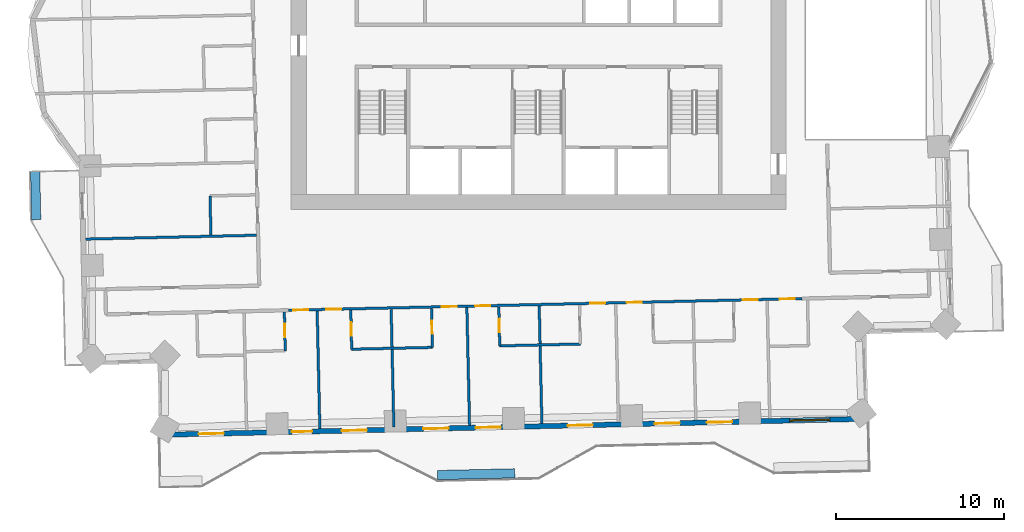
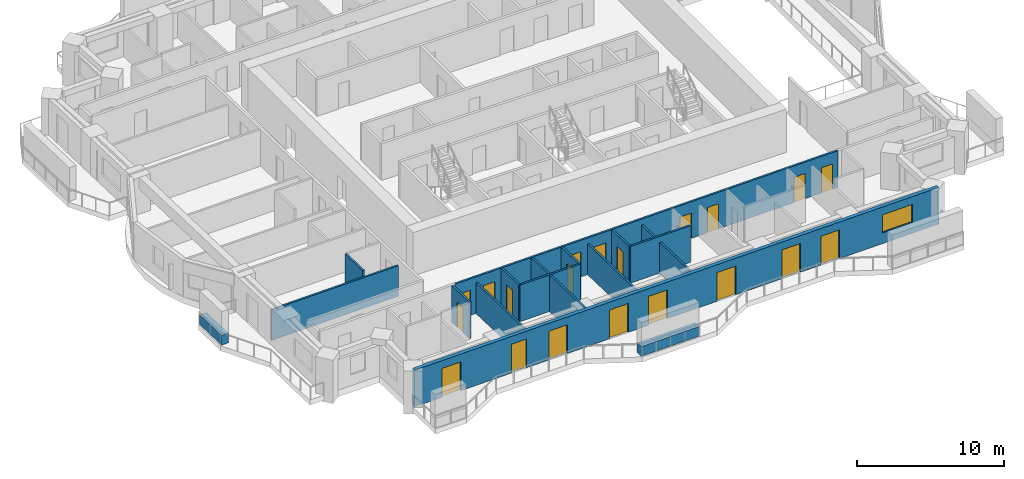
# One storey, part 6 of 16: 20 doors, 16 walls, 1 window, 21 openings.
"""IFC4 building model written with IfcOpenShell, lengths in metres."""

from ifc_helpers import new_model, si_unit, direction, frame, frame_2d, origin, place, context, subcontext, project, spatial, rectangle, extrude, material, layer, layer_set, type_object, element, fill, save


model = new_model("IFC4")

# Units and contexts
model_context = context("Model", 3, precision=1e-05, world=origin(), true_north=direction((0.0, 1.0)))
body_context = subcontext(model_context, "Body", "Model", "MODEL_VIEW")
ifc_project = project(units=[si_unit("LENGTHUNIT", "METRE"), si_unit("AREAUNIT", "SQUARE_METRE"), si_unit("VOLUMEUNIT", "CUBIC_METRE"), si_unit("PLANEANGLEUNIT", "RADIAN"), si_unit("MASSUNIT", "GRAM", prefix="KILO")], contexts=[model_context])

# Site, building, storey
site_placement = place(None, origin())
site = spatial("IfcSite", under=ifc_project, at=site_placement, CompositionType="ELEMENT")
building_placement = place(site_placement, origin())
building = spatial("IfcBuilding", under=site, at=building_placement, Name="Mangrove Gate Tower", CompositionType="ELEMENT")
storey_placement = place(building_placement, frame((0.0, 0.0, 140.89990234375)))
storey = spatial("IfcBuildingStorey", under=building, at=storey_placement, Name="L35", CompositionType="ELEMENT", Elevation=140.89990234375)

# Wall, openings, doors, window
ifc_material_1 = material(Name="Limestone", Category="masonry")
ifc_layer_1 = layer(ifc_material_1, 0.0400390625, Name="Limestone cladding")
ifc_material_2 = material(Name="Ventilated air gap")
ifc_layer_2 = layer(ifc_material_2, 0.0400390625, Name="Ventilated cavity")
ifc_material_3 = material(Name="Mineral wool insulation")
ifc_layer_3 = layer(ifc_material_3, 0.06005859375, Name="Insulation")
ifc_material_4 = material(Name="Breather membrane")
ifc_layer_4 = layer(ifc_material_4, 0.001953125, Name="Breather membrane")
ifc_material_5 = material(Name="Concrete C20/25 blockwork", Category="masonry")
ifc_layer_5 = layer(ifc_material_5, 0.14990234375, Name="Blockwork backing wall")
ifc_material_6 = material(Name="Gypsum plaster")
ifc_layer_6 = layer(ifc_material_6, 0.008056640625, Name="Internal plaster")
ifc_layer_set_1 = layer_set([ifc_layer_1, ifc_layer_2, ifc_layer_3, ifc_layer_4, ifc_layer_5, ifc_layer_6], Name="External wall 300 limestone cladding")
wall_type_1 = type_object("IfcWallType", Name="External wall 300 limestone cladding", PredefinedType="SOLIDWALL", material=ifc_layer_set_1)
wall_1_placement = place(storey_placement, frame((-22.39599609375, -25.077880859375, 0.0), z_axis=(0.0, 0.0, 1.0), x_axis=(0.99974279854, 0.022678993965, 0.0)))
wall_1 = element("IfcWall", 1, at=wall_1_placement, inside=storey, type_object=wall_type_1, Name="WALL-L35-S13", PredefinedType="SOLIDWALL", context=body_context, shape_type="SweptSolid", body=[
    extrude(rectangle(XDim=41.84375, YDim=0.300048828125, at=frame_2d((20.921875, 0.0))), origin(), (0.0, 0.0, 1.0), 3.050048828125),
])
opening_1_placement = place(wall_1_placement, frame((2.196044921875, 0.0, 0.0)))
opening_1 = element("IfcOpeningElement", 2, at=opening_1_placement, cuts=wall_1, Name="Opening BD1", PredefinedType="OPENING", context=body_context, shape_type="SweptSolid", body=[
    extrude(rectangle(XDim=1.5, YDim=2.39990234375, at=frame_2d((0.75, 1.199951171875))), frame((0.0, 0.159912109375, 0.0), z_axis=(0.0, -1.0, 0.0), x_axis=(1.0, 0.0, 0.0)), (0.0, 0.0, 1.0), 0.320068359375),
])
opening_2_placement = place(wall_1_placement, frame((7.737060546875, 0.0, 0.0)))
opening_2 = element("IfcOpeningElement", 3, at=opening_2_placement, cuts=wall_1, Name="Opening BD2", PredefinedType="OPENING", context=body_context, shape_type="SweptSolid", body=[
    extrude(rectangle(XDim=1.199951171875, YDim=2.39990234375, at=frame_2d((0.60009765625, 1.199951171875))), frame((0.0, 0.159912109375, 0.0), z_axis=(0.0, -1.0, 0.0), x_axis=(1.0, 0.0, 0.0)), (0.0, 0.0, 1.0), 0.320068359375),
])
opening_3_placement = place(wall_1_placement, frame((10.698974609375, 0.0, 0.0)))
opening_3 = element("IfcOpeningElement", 4, at=opening_3_placement, cuts=wall_1, Name="Opening BD1", PredefinedType="OPENING", context=body_context, shape_type="SweptSolid", body=[
    extrude(rectangle(XDim=1.5, YDim=2.39990234375, at=frame_2d((0.75, 1.199951171875))), frame((0.0, 0.159912109375, 0.0), z_axis=(0.0, -1.0, 0.0), x_axis=(1.0, 0.0, 0.0)), (0.0, 0.0, 1.0), 0.320068359375),
])
opening_4_placement = place(wall_1_placement, frame((15.549072265625, 0.0, 0.0)))
opening_4 = element("IfcOpeningElement", 5, at=opening_4_placement, cuts=wall_1, Name="Opening BD1", PredefinedType="OPENING", context=body_context, shape_type="SweptSolid", body=[
    extrude(rectangle(XDim=1.5, YDim=2.39990234375, at=frame_2d((0.75, 1.199951171875))), frame((0.0, 0.159912109375, 0.0), z_axis=(0.0, -1.0, 0.0), x_axis=(1.0, 0.0, 0.0)), (0.0, 0.0, 1.0), 0.320068359375),
])
opening_5_placement = place(wall_1_placement, frame((18.660888671875, 0.0, 0.0)))
opening_5 = element("IfcOpeningElement", 6, at=opening_5_placement, cuts=wall_1, Name="Opening BD1", PredefinedType="OPENING", context=body_context, shape_type="SweptSolid", body=[
    extrude(rectangle(XDim=1.5, YDim=2.39990234375, at=frame_2d((0.75, 1.199951171875))), frame((0.0, 0.159912109375, 0.0), z_axis=(0.0, -1.0, 0.0), x_axis=(1.0, 0.0, 0.0)), (0.0, 0.0, 1.0), 0.320068359375),
])
opening_6_placement = place(wall_1_placement, frame((24.125, 0.0, 0.0)))
opening_6 = element("IfcOpeningElement", 7, at=opening_6_placement, cuts=wall_1, Name="Opening BD1", PredefinedType="OPENING", context=body_context, shape_type="SweptSolid", body=[
    extrude(rectangle(XDim=1.5, YDim=2.39990234375, at=frame_2d((0.75, 1.199951171875))), frame((0.0, 0.159912109375, 0.0), z_axis=(0.0, -1.0, 0.0), x_axis=(1.0, 0.0, 0.0)), (0.0, 0.0, 1.0), 0.320068359375),
])
opening_7_placement = place(wall_1_placement, frame((29.298095703125, 0.0, 0.0)))
opening_7 = element("IfcOpeningElement", 8, at=opening_7_placement, cuts=wall_1, Name="Opening BD1", PredefinedType="OPENING", context=body_context, shape_type="SweptSolid", body=[
    extrude(rectangle(XDim=1.5, YDim=2.39990234375, at=frame_2d((0.75, 1.199951171875))), frame((0.0, 0.159912109375, 0.0), z_axis=(0.0, -1.0, 0.0), x_axis=(1.0, 0.0, 0.0)), (0.0, 0.0, 1.0), 0.320068359375),
])
opening_8_placement = place(wall_1_placement, frame((32.409912109375, 0.0, 0.0)))
opening_8 = element("IfcOpeningElement", 9, at=opening_8_placement, cuts=wall_1, Name="Opening BD1", PredefinedType="OPENING", context=body_context, shape_type="SweptSolid", body=[
    extrude(rectangle(XDim=1.5, YDim=2.39990234375, at=frame_2d((0.75, 1.199951171875))), frame((0.0, 0.159912109375, 0.0), z_axis=(0.0, -1.0, 0.0), x_axis=(1.0, 0.0, 0.0)), (0.0, 0.0, 1.0), 0.320068359375),
])
opening_9_placement = place(wall_1_placement, frame((37.323974609375, 0.0, 0.89990234375)))
opening_9 = element("IfcOpeningElement", 10, at=opening_9_placement, cuts=wall_1, Name="Opening W2", PredefinedType="OPENING", context=body_context, shape_type="SweptSolid", body=[
    extrude(rectangle(XDim=2.39990234375, YDim=1.5, at=frame_2d((1.199951171875, 0.75))), frame((0.0, 0.159912109375, 0.0), z_axis=(0.0, -1.0, 0.0), x_axis=(1.0, 0.0, 0.0)), (0.0, 0.0, 1.0), 0.320068359375),
])
ifc_material_7 = material(Name="Aluminium frame with laminated clear glass", Category="aluminium")
door_type_1 = type_object("IfcDoorType", Name="Balcony sliding door 1200x2400", OperationType="SLIDING_TO_LEFT", PredefinedType="DOOR", material=ifc_material_7)
door_1_placement = place(opening_2_placement, origin())
door_1 = element("IfcDoor", 11, at=door_1_placement, inside=storey, type_object=door_type_1, Name="DOOR-L35-S13-2", OperationType="SLIDING_TO_LEFT", OverallHeight=2.39990234375, OverallWidth=1.199951171875, PredefinedType="DOOR", context=body_context, shape_type="SweptSolid", body=[
    extrude(rectangle(XDim=1.199951171875, YDim=2.39990234375, at=frame_2d((0.60009765625, 1.199951171875))), frame((0.0, 0.02490234375, 0.0), z_axis=(0.0, -1.0, 0.0), x_axis=(1.0, 0.0, 0.0)), (0.0, 0.0, 1.0), 0.050048828125),
])
fill(opening_2, door_1)
ifc_material_8 = material(Name="Aluminium frame with laminated clear glass", Category="aluminium")
door_type_2 = type_object("IfcDoorType", Name="Balcony sliding door 1500x2400", OperationType="SLIDING_TO_LEFT", PredefinedType="DOOR", material=ifc_material_8)
door_2_placement = place(opening_1_placement, origin())
door_2 = element("IfcDoor", 12, at=door_2_placement, inside=storey, type_object=door_type_2, Name="DOOR-L35-S13-1", OperationType="SLIDING_TO_LEFT", OverallHeight=2.39990234375, OverallWidth=1.5, PredefinedType="DOOR", context=body_context, shape_type="SweptSolid", body=[
    extrude(rectangle(XDim=1.5, YDim=2.39990234375, at=frame_2d((0.75, 1.199951171875))), frame((0.0, 0.02490234375, 0.0), z_axis=(0.0, -1.0, 0.0), x_axis=(1.0, 0.0, 0.0)), (0.0, 0.0, 1.0), 0.050048828125),
])
fill(opening_1, door_2)
door_3_placement = place(opening_3_placement, origin())
door_3 = element("IfcDoor", 13, at=door_3_placement, inside=storey, type_object=door_type_2, Name="DOOR-L35-S13-3", OperationType="SLIDING_TO_LEFT", OverallHeight=2.39990234375, OverallWidth=1.5, PredefinedType="DOOR", context=body_context, shape_type="SweptSolid", body=[
    extrude(rectangle(XDim=1.5, YDim=2.39990234375, at=frame_2d((0.75, 1.199951171875))), frame((0.0, 0.02490234375, 0.0), z_axis=(0.0, -1.0, 0.0), x_axis=(1.0, 0.0, 0.0)), (0.0, 0.0, 1.0), 0.050048828125),
])
fill(opening_3, door_3)
door_4_placement = place(opening_4_placement, origin())
door_4 = element("IfcDoor", 14, at=door_4_placement, inside=storey, type_object=door_type_2, Name="DOOR-L35-S13-4", OperationType="SLIDING_TO_LEFT", OverallHeight=2.39990234375, OverallWidth=1.5, PredefinedType="DOOR", context=body_context, shape_type="SweptSolid", body=[
    extrude(rectangle(XDim=1.5, YDim=2.39990234375, at=frame_2d((0.75, 1.199951171875))), frame((0.0, 0.02490234375, 0.0), z_axis=(0.0, -1.0, 0.0), x_axis=(1.0, 0.0, 0.0)), (0.0, 0.0, 1.0), 0.050048828125),
])
fill(opening_4, door_4)
door_5_placement = place(opening_5_placement, origin())
door_5 = element("IfcDoor", 15, at=door_5_placement, inside=storey, type_object=door_type_2, Name="DOOR-L35-S13-5", OperationType="SLIDING_TO_LEFT", OverallHeight=2.39990234375, OverallWidth=1.5, PredefinedType="DOOR", context=body_context, shape_type="SweptSolid", body=[
    extrude(rectangle(XDim=1.5, YDim=2.39990234375, at=frame_2d((0.75, 1.199951171875))), frame((0.0, 0.02490234375, 0.0), z_axis=(0.0, -1.0, 0.0), x_axis=(1.0, 0.0, 0.0)), (0.0, 0.0, 1.0), 0.050048828125),
])
fill(opening_5, door_5)
door_6_placement = place(opening_6_placement, origin())
door_6 = element("IfcDoor", 16, at=door_6_placement, inside=storey, type_object=door_type_2, Name="DOOR-L35-S13-6", OperationType="SLIDING_TO_LEFT", OverallHeight=2.39990234375, OverallWidth=1.5, PredefinedType="DOOR", context=body_context, shape_type="SweptSolid", body=[
    extrude(rectangle(XDim=1.5, YDim=2.39990234375, at=frame_2d((0.75, 1.199951171875))), frame((0.0, 0.02490234375, 0.0), z_axis=(0.0, -1.0, 0.0), x_axis=(1.0, 0.0, 0.0)), (0.0, 0.0, 1.0), 0.050048828125),
])
fill(opening_6, door_6)
door_7_placement = place(opening_7_placement, origin())
door_7 = element("IfcDoor", 17, at=door_7_placement, inside=storey, type_object=door_type_2, Name="DOOR-L35-S13-7", OperationType="SLIDING_TO_LEFT", OverallHeight=2.39990234375, OverallWidth=1.5, PredefinedType="DOOR", context=body_context, shape_type="SweptSolid", body=[
    extrude(rectangle(XDim=1.5, YDim=2.39990234375, at=frame_2d((0.75, 1.199951171875))), frame((0.0, 0.02490234375, 0.0), z_axis=(0.0, -1.0, 0.0), x_axis=(1.0, 0.0, 0.0)), (0.0, 0.0, 1.0), 0.050048828125),
])
fill(opening_7, door_7)
door_8_placement = place(opening_8_placement, origin())
door_8 = element("IfcDoor", 18, at=door_8_placement, inside=storey, type_object=door_type_2, Name="DOOR-L35-S13-8", OperationType="SLIDING_TO_LEFT", OverallHeight=2.39990234375, OverallWidth=1.5, PredefinedType="DOOR", context=body_context, shape_type="SweptSolid", body=[
    extrude(rectangle(XDim=1.5, YDim=2.39990234375, at=frame_2d((0.75, 1.199951171875))), frame((0.0, 0.02490234375, 0.0), z_axis=(0.0, -1.0, 0.0), x_axis=(1.0, 0.0, 0.0)), (0.0, 0.0, 1.0), 0.050048828125),
])
fill(opening_8, door_8)
ifc_material_9 = material(Name="Aluminium frame with double-glazed low-e glass", Category="aluminium")
window_type = type_object("IfcWindowType", Name="Corner room window 2400x1500", PartitioningType="DOUBLE_PANEL_VERTICAL", PredefinedType="WINDOW", material=ifc_material_9)
window_placement = place(opening_9_placement, origin())
window = element("IfcWindow", 19, at=window_placement, inside=storey, type_object=window_type, Name="WIN-L35-S13-9", OverallHeight=1.5, OverallWidth=2.39990234375, PartitioningType="DOUBLE_PANEL_VERTICAL", PredefinedType="WINDOW", context=body_context, shape_type="SweptSolid", body=[
    extrude(rectangle(XDim=2.39990234375, YDim=1.5, at=frame_2d((1.199951171875, 0.75))), frame((0.0, 0.030029296875, 0.0), z_axis=(0.0, -1.0, 0.0), x_axis=(1.0, 0.0, 0.0)), (0.0, 0.0, 1.0), 0.06005859375),
])
fill(opening_9, window)

# Walls
ifc_material_10 = material(Name="Gypsum board on steel stud, EI 60", Category="steel")
ifc_layer_7 = layer(ifc_material_10, 0.14990234375)
ifc_layer_set_2 = layer_set([ifc_layer_7], Name="Party wall 150 EI 60")
wall_type_2 = type_object("IfcWallType", Name="Party wall 150 EI 60", PredefinedType="PARTITIONING", material=ifc_layer_set_2)
wall_2_placement = place(storey_placement, frame((-13.0, -24.715087890625, 0.0), z_axis=(0.0, 0.0, 1.0), x_axis=(-0.02255982614, 0.999745494736, 0.0)))
element("IfcWall", 20, at=wall_2_placement, inside=storey, type_object=wall_type_2, Name="WALL-L35-002", PredefinedType="PARTITIONING", context=body_context, shape_type="SweptSolid", body=[
    extrude(rectangle(XDim=7.001708984375, YDim=0.14990234375, at=frame_2d((3.5009765625, 0.0))), origin(), (0.0, 0.0, 1.0), 2.550048828125),
])
wall_3_placement = place(storey_placement, frame((-8.60107421875, -24.614990234375, 0.0), z_axis=(0.0, 0.0, 1.0), x_axis=(-0.022702393474, 0.999742267452, 0.0)))
element("IfcWall", 21, at=wall_3_placement, inside=storey, type_object=wall_type_2, Name="WALL-L35-003", PredefinedType="PARTITIONING", context=body_context, shape_type="SweptSolid", body=[
    extrude(rectangle(XDim=7.000732421875, YDim=0.14990234375, at=frame_2d((3.50048828125, 0.0))), origin(), (0.0, 0.0, 1.0), 3.050048828125),
])
wall_4_placement = place(storey_placement, frame((-4.10205078125, -24.512939453125, 0.0), z_axis=(0.0, 0.0, 1.0), x_axis=(-0.022699227919, 0.999742339331, 0.0)))
element("IfcWall", 22, at=wall_4_placement, inside=storey, type_object=wall_type_2, Name="WALL-L35-004", PredefinedType="PARTITIONING", context=body_context, shape_type="SweptSolid", body=[
    extrude(rectangle(XDim=7.001708984375, YDim=0.14990234375, at=frame_2d((3.5009765625, 0.0))), origin(), (0.0, 0.0, 1.0), 2.550048828125),
])
wall_5_placement = place(storey_placement, frame((0.197021484375, -24.4150390625, 0.0), z_axis=(0.0, 0.0, 1.0), x_axis=(-0.022702393474, 0.999742267452, 0.0)))
element("IfcWall", 23, at=wall_5_placement, inside=storey, type_object=wall_type_2, Name="WALL-L35-005", PredefinedType="PARTITIONING", context=body_context, shape_type="SweptSolid", body=[
    extrude(rectangle(XDim=7.000732421875, YDim=0.14990234375, at=frame_2d((3.50048828125, 0.0))), origin(), (0.0, 0.0, 1.0), 2.550048828125),
])

# Wall, opening, door
wall_6_placement = place(storey_placement, frame((-15.054931640625, -20.083984375, 0.0), z_axis=(0.0, 0.0, 1.0), x_axis=(-0.022612884682, 0.999744296031, 0.0)))
wall_6 = element("IfcWall", 24, at=wall_6_placement, inside=storey, type_object=wall_type_2, Name="WALL-L35-013", PredefinedType="PARTITIONING", context=body_context, shape_type="SweptSolid", body=[
    extrude(rectangle(XDim=2.299560546875, YDim=0.14990234375, at=frame_2d((1.14990234375, 0.0))), origin(), (0.0, 0.0, 1.0), 3.050048828125),
])
opening_10_placement = place(wall_6_placement, frame((0.800048828125, 0.0, 0.0)))
opening_10 = element("IfcOpeningElement", 25, at=opening_10_placement, cuts=wall_6, Name="Opening ED", PredefinedType="OPENING", context=body_context, shape_type="SweptSolid", body=[
    extrude(rectangle(XDim=0.800048828125, YDim=2.10009765625, at=frame_2d((0.39990234375, 1.050048828125))), frame((0.0, 0.0849609375, 0.0), z_axis=(0.0, -1.0, 0.0), x_axis=(1.0, 0.0, 0.0)), (0.0, 0.0, 1.0), 0.169921875),
])
ifc_material_11 = material(Name="Timber door leaf", Category="wood")
door_type_3 = type_object("IfcDoorType", Name="En-suite door 800", OperationType="SINGLE_SWING_LEFT", PredefinedType="DOOR", material=ifc_material_11)
door_9_placement = place(opening_10_placement, origin())
door_9 = element("IfcDoor", 26, at=door_9_placement, inside=storey, type_object=door_type_3, Name="DOOR-L35-ENS-c101", OperationType="SINGLE_SWING_LEFT", OverallHeight=2.10009765625, OverallWidth=0.800048828125, PredefinedType="DOOR", context=body_context, shape_type="SweptSolid", body=[
    extrude(rectangle(XDim=0.800048828125, YDim=2.10009765625, at=frame_2d((0.39990234375, 1.050048828125))), frame((0.0, 0.02490234375, 0.0), z_axis=(0.0, -1.0, 0.0), x_axis=(1.0, 0.0, 0.0)), (0.0, 0.0, 1.0), 0.050048828125),
])
fill(opening_10, door_9)

wall_7_placement = place(storey_placement, frame((-11.10595703125, -19.993896484375, 0.0), z_axis=(0.0, 0.0, 1.0), x_axis=(-0.02279059109, 0.999740260747, 0.0)))
wall_7 = element("IfcWall", 27, at=wall_7_placement, inside=storey, type_object=wall_type_2, Name="WALL-L35-014", PredefinedType="PARTITIONING", context=body_context, shape_type="SweptSolid", body=[
    extrude(rectangle(XDim=2.324462890625, YDim=0.14990234375, at=frame_2d((1.162109375, 0.0))), origin(), (0.0, 0.0, 1.0), 3.050048828125),
])
opening_11_placement = place(wall_7_placement, frame((0.800048828125, 0.0, 0.0)))
opening_11 = element("IfcOpeningElement", 28, at=opening_11_placement, cuts=wall_7, Name="Opening ED", PredefinedType="OPENING", context=body_context, shape_type="SweptSolid", body=[
    extrude(rectangle(XDim=0.800048828125, YDim=2.10009765625, at=frame_2d((0.39990234375, 1.050048828125))), frame((0.0, 0.0849609375, 0.0), z_axis=(0.0, -1.0, 0.0), x_axis=(1.0, 0.0, 0.0)), (0.0, 0.0, 1.0), 0.169921875),
])
door_10_placement = place(opening_11_placement, origin())
door_10 = element("IfcDoor", 29, at=door_10_placement, inside=storey, type_object=door_type_3, Name="DOOR-L35-ENS-c102", OperationType="SINGLE_SWING_RIGHT", OverallHeight=2.10009765625, OverallWidth=0.800048828125, PredefinedType="DOOR", context=body_context, shape_type="SweptSolid", body=[
    extrude(rectangle(XDim=0.800048828125, YDim=2.10009765625, at=frame_2d((0.39990234375, 1.050048828125))), frame((0.0, 0.02490234375, 0.0), z_axis=(0.0, -1.0, 0.0), x_axis=(1.0, 0.0, 0.0)), (0.0, 0.0, 1.0), 0.050048828125),
])
fill(opening_11, door_10)

wall_8_placement = place(storey_placement, frame((-6.306884765625, -19.885009765625, 0.0), z_axis=(0.0, 0.0, 1.0), x_axis=(-0.022895561926, 0.999737862264, 0.0)))
wall_8 = element("IfcWall", 30, at=wall_8_placement, inside=storey, type_object=wall_type_2, Name="WALL-L35-015", PredefinedType="PARTITIONING", context=body_context, shape_type="SweptSolid", body=[
    extrude(rectangle(XDim=2.324462890625, YDim=0.14990234375, at=frame_2d((1.162109375, 0.0))), origin(), (0.0, 0.0, 1.0), 3.050048828125),
])
opening_12_placement = place(wall_8_placement, frame((0.800048828125, 0.0, 0.0)))
opening_12 = element("IfcOpeningElement", 31, at=opening_12_placement, cuts=wall_8, Name="Opening ED", PredefinedType="OPENING", context=body_context, shape_type="SweptSolid", body=[
    extrude(rectangle(XDim=0.800048828125, YDim=2.10009765625, at=frame_2d((0.39990234375, 1.050048828125))), frame((0.0, 0.0849609375, 0.0), z_axis=(0.0, -1.0, 0.0), x_axis=(1.0, 0.0, 0.0)), (0.0, 0.0, 1.0), 0.169921875),
])
door_11_placement = place(opening_12_placement, origin())
door_11 = element("IfcDoor", 32, at=door_11_placement, inside=storey, type_object=door_type_3, Name="DOOR-L35-ENS-c103", OperationType="SINGLE_SWING_LEFT", OverallHeight=2.10009765625, OverallWidth=0.800048828125, PredefinedType="DOOR", context=body_context, shape_type="SweptSolid", body=[
    extrude(rectangle(XDim=0.800048828125, YDim=2.10009765625, at=frame_2d((0.39990234375, 1.050048828125))), frame((0.0, 0.02490234375, 0.0), z_axis=(0.0, -1.0, 0.0), x_axis=(1.0, 0.0, 0.0)), (0.0, 0.0, 1.0), 0.050048828125),
])
fill(opening_12, door_11)

wall_9_placement = place(storey_placement, frame((-2.30908203125, -19.794921875, 0.0), z_axis=(0.0, 0.0, 1.0), x_axis=(-0.022361308448, 0.999749954681, 0.0)))
wall_9 = element("IfcWall", 33, at=wall_9_placement, inside=storey, type_object=wall_type_2, Name="WALL-L35-016", PredefinedType="PARTITIONING", context=body_context, shape_type="SweptSolid", body=[
    extrude(rectangle(XDim=2.325439453125, YDim=0.14990234375, at=frame_2d((1.16259765625, 0.0))), origin(), (0.0, 0.0, 1.0), 3.050048828125),
])
opening_13_placement = place(wall_9_placement, frame((0.800048828125, 0.0, 0.0)))
opening_13 = element("IfcOpeningElement", 34, at=opening_13_placement, cuts=wall_9, Name="Opening ED", PredefinedType="OPENING", context=body_context, shape_type="SweptSolid", body=[
    extrude(rectangle(XDim=0.800048828125, YDim=2.10009765625, at=frame_2d((0.39990234375, 1.050048828125))), frame((0.0, 0.0849609375, 0.0), z_axis=(0.0, -1.0, 0.0), x_axis=(1.0, 0.0, 0.0)), (0.0, 0.0, 1.0), 0.169921875),
])
door_12_placement = place(opening_13_placement, origin())
door_12 = element("IfcDoor", 35, at=door_12_placement, inside=storey, type_object=door_type_3, Name="DOOR-L35-ENS-c204", OperationType="SINGLE_SWING_RIGHT", OverallHeight=2.10009765625, OverallWidth=0.800048828125, PredefinedType="DOOR", context=body_context, shape_type="SweptSolid", body=[
    extrude(rectangle(XDim=0.800048828125, YDim=2.10009765625, at=frame_2d((0.39990234375, 1.050048828125))), frame((0.0, 0.02490234375, 0.0), z_axis=(0.0, -1.0, 0.0), x_axis=(1.0, 0.0, 0.0)), (0.0, 0.0, 1.0), 0.050048828125),
])
fill(opening_13, door_12)

# Walls
wall_10_placement = place(storey_placement, frame((-11.10791015625, -19.989990234375, 0.0), z_axis=(0.0, 0.0, 1.0), x_axis=(0.99974716552, 0.022485662892, 0.0)))
element("IfcWall", 36, at=wall_10_placement, inside=storey, type_object=wall_type_2, Name="WALL-L35-021", PredefinedType="PARTITIONING", context=body_context, shape_type="SweptSolid", body=[
    extrude(rectangle(XDim=4.799072265625, YDim=0.14990234375, at=frame_2d((2.3994140625, 0.0))), origin(), (0.0, 0.0, 1.0), 3.050048828125),
])
wall_11_placement = place(storey_placement, frame((-2.31103515625, -19.791015625, 0.0), z_axis=(0.0, 0.0, 1.0), x_axis=(0.99974154664, 0.022734113616, 0.0)))
element("IfcWall", 37, at=wall_11_placement, inside=storey, type_object=wall_type_2, Name="WALL-L35-022", PredefinedType="PARTITIONING", context=body_context, shape_type="SweptSolid", body=[
    extrude(rectangle(XDim=4.80029296875, YDim=0.14990234375, at=frame_2d((2.400146484375, 0.0))), origin(), (0.0, 0.0, 1.0), 3.050048828125),
])

# Wall, openings, doors
wall_12_placement = place(storey_placement, frame((-14.87109375, -17.675048828125, 0.0), z_axis=(0.0, 0.0, 1.0), x_axis=(0.999742359486, 0.02269834024, 0.0)))
wall_12 = element("IfcWall", 38, at=wall_12_placement, inside=storey, type_object=wall_type_2, Name="WALL-L35-027", PredefinedType="PARTITIONING", context=body_context, shape_type="SweptSolid", body=[
    extrude(rectangle(XDim=30.535888671875, YDim=0.14990234375, at=frame_2d((15.26806640625, 0.0))), origin(), (0.0, 0.0, 1.0), 3.050048828125),
])
opening_14_placement = place(wall_12_placement, frame((0.283935546875, 0.0, 0.0)))
opening_14 = element("IfcOpeningElement", 39, at=opening_14_placement, cuts=wall_12, Name="Opening BD", PredefinedType="OPENING", context=body_context, shape_type="SweptSolid", body=[
    extrude(rectangle(XDim=0.89990234375, YDim=2.10009765625, at=frame_2d((0.449951171875, 1.050048828125))), frame((0.0, 0.0849609375, 0.0), z_axis=(0.0, -1.0, 0.0), x_axis=(1.0, 0.0, 0.0)), (0.0, 0.0, 1.0), 0.169921875),
])
opening_15_placement = place(wall_12_placement, frame((2.259033203125, 0.0, 0.0)))
opening_15 = element("IfcOpeningElement", 40, at=opening_15_placement, cuts=wall_12, Name="Opening BD", PredefinedType="OPENING", context=body_context, shape_type="SweptSolid", body=[
    extrude(rectangle(XDim=0.89990234375, YDim=2.10009765625, at=frame_2d((0.449951171875, 1.050048828125))), frame((0.0, 0.0849609375, 0.0), z_axis=(0.0, -1.0, 0.0), x_axis=(1.0, 0.0, 0.0)), (0.0, 0.0, 1.0), 0.169921875),
])
opening_16_placement = place(wall_12_placement, frame((9.10888671875, 0.0, 0.0)))
opening_16 = element("IfcOpeningElement", 41, at=opening_16_placement, cuts=wall_12, Name="Opening BD", PredefinedType="OPENING", context=body_context, shape_type="SweptSolid", body=[
    extrude(rectangle(XDim=0.89990234375, YDim=2.10009765625, at=frame_2d((0.449951171875, 1.050048828125))), frame((0.0, 0.0849609375, 0.0), z_axis=(0.0, -1.0, 0.0), x_axis=(1.0, 0.0, 0.0)), (0.0, 0.0, 1.0), 0.169921875),
])
opening_17_placement = place(wall_12_placement, frame((11.10888671875, 0.0, 0.0)))
opening_17 = element("IfcOpeningElement", 42, at=opening_17_placement, cuts=wall_12, Name="Opening BD", PredefinedType="OPENING", context=body_context, shape_type="SweptSolid", body=[
    extrude(rectangle(XDim=0.89990234375, YDim=2.10009765625, at=frame_2d((0.449951171875, 1.050048828125))), frame((0.0, 0.0849609375, 0.0), z_axis=(0.0, -1.0, 0.0), x_axis=(1.0, 0.0, 0.0)), (0.0, 0.0, 1.0), 0.169921875),
])
opening_18_placement = place(wall_12_placement, frame((17.93408203125, 0.0, 0.0)))
opening_18 = element("IfcOpeningElement", 43, at=opening_18_placement, cuts=wall_12, Name="Opening BD", PredefinedType="OPENING", context=body_context, shape_type="SweptSolid", body=[
    extrude(rectangle(XDim=0.89990234375, YDim=2.10009765625, at=frame_2d((0.449951171875, 1.050048828125))), frame((0.0, 0.0849609375, 0.0), z_axis=(0.0, -1.0, 0.0), x_axis=(1.0, 0.0, 0.0)), (0.0, 0.0, 1.0), 0.169921875),
])
opening_19_placement = place(wall_12_placement, frame((20.10888671875, 0.0, 0.0)))
opening_19 = element("IfcOpeningElement", 44, at=opening_19_placement, cuts=wall_12, Name="Opening BD", PredefinedType="OPENING", context=body_context, shape_type="SweptSolid", body=[
    extrude(rectangle(XDim=0.89990234375, YDim=2.10009765625, at=frame_2d((0.449951171875, 1.050048828125))), frame((0.0, 0.0849609375, 0.0), z_axis=(0.0, -1.0, 0.0), x_axis=(1.0, 0.0, 0.0)), (0.0, 0.0, 1.0), 0.169921875),
])
opening_20_placement = place(wall_12_placement, frame((27.009033203125, 0.0, 0.0)))
opening_20 = element("IfcOpeningElement", 45, at=opening_20_placement, cuts=wall_12, Name="Opening BD", PredefinedType="OPENING", context=body_context, shape_type="SweptSolid", body=[
    extrude(rectangle(XDim=0.89990234375, YDim=2.10009765625, at=frame_2d((0.449951171875, 1.050048828125))), frame((0.0, 0.0849609375, 0.0), z_axis=(0.0, -1.0, 0.0), x_axis=(1.0, 0.0, 0.0)), (0.0, 0.0, 1.0), 0.169921875),
])
opening_21_placement = place(wall_12_placement, frame((29.208984375, 0.0, 0.0)))
opening_21 = element("IfcOpeningElement", 46, at=opening_21_placement, cuts=wall_12, Name="Opening SD", PredefinedType="OPENING", context=body_context, shape_type="SweptSolid", body=[
    extrude(rectangle(XDim=0.89990234375, YDim=2.10009765625, at=frame_2d((0.449951171875, 1.050048828125))), frame((0.0, 0.0849609375, 0.0), z_axis=(0.0, -1.0, 0.0), x_axis=(1.0, 0.0, 0.0)), (0.0, 0.0, 1.0), 0.169921875),
])
ifc_material_12 = material(Name="Timber door leaf", Category="wood")
door_type_4 = type_object("IfcDoorType", Name="Bedroom door 900", OperationType="SINGLE_SWING_LEFT", PredefinedType="DOOR", material=ifc_material_12)
door_13_placement = place(opening_14_placement, origin())
door_13 = element("IfcDoor", 47, at=door_13_placement, inside=storey, type_object=door_type_4, Name="DOOR-L35-BED-c101", OperationType="SINGLE_SWING_LEFT", OverallHeight=2.10009765625, OverallWidth=0.89990234375, PredefinedType="DOOR", context=body_context, shape_type="SweptSolid", body=[
    extrude(rectangle(XDim=0.89990234375, YDim=2.10009765625, at=frame_2d((0.449951171875, 1.050048828125))), frame((0.0, 0.02490234375, 0.0), z_axis=(0.0, -1.0, 0.0), x_axis=(1.0, 0.0, 0.0)), (0.0, 0.0, 1.0), 0.050048828125),
])
fill(opening_14, door_13)
door_14_placement = place(opening_15_placement, origin())
door_14 = element("IfcDoor", 48, at=door_14_placement, inside=storey, type_object=door_type_4, Name="DOOR-L35-BED-c102", OperationType="SINGLE_SWING_RIGHT", OverallHeight=2.10009765625, OverallWidth=0.89990234375, PredefinedType="DOOR", context=body_context, shape_type="SweptSolid", body=[
    extrude(rectangle(XDim=0.89990234375, YDim=2.10009765625, at=frame_2d((0.449951171875, 1.050048828125))), frame((0.0, 0.02490234375, 0.0), z_axis=(0.0, -1.0, 0.0), x_axis=(1.0, 0.0, 0.0)), (0.0, 0.0, 1.0), 0.050048828125),
])
fill(opening_15, door_14)
door_15_placement = place(opening_16_placement, origin())
door_15 = element("IfcDoor", 49, at=door_15_placement, inside=storey, type_object=door_type_4, Name="DOOR-L35-BED-c103", OperationType="SINGLE_SWING_LEFT", OverallHeight=2.10009765625, OverallWidth=0.89990234375, PredefinedType="DOOR", context=body_context, shape_type="SweptSolid", body=[
    extrude(rectangle(XDim=0.89990234375, YDim=2.10009765625, at=frame_2d((0.449951171875, 1.050048828125))), frame((0.0, 0.02490234375, 0.0), z_axis=(0.0, -1.0, 0.0), x_axis=(1.0, 0.0, 0.0)), (0.0, 0.0, 1.0), 0.050048828125),
])
fill(opening_16, door_15)
door_16_placement = place(opening_17_placement, origin())
door_16 = element("IfcDoor", 50, at=door_16_placement, inside=storey, type_object=door_type_4, Name="DOOR-L35-BED-c204", OperationType="SINGLE_SWING_RIGHT", OverallHeight=2.10009765625, OverallWidth=0.89990234375, PredefinedType="DOOR", context=body_context, shape_type="SweptSolid", body=[
    extrude(rectangle(XDim=0.89990234375, YDim=2.10009765625, at=frame_2d((0.449951171875, 1.050048828125))), frame((0.0, 0.02490234375, 0.0), z_axis=(0.0, -1.0, 0.0), x_axis=(1.0, 0.0, 0.0)), (0.0, 0.0, 1.0), 0.050048828125),
])
fill(opening_17, door_16)
door_17_placement = place(opening_18_placement, origin())
door_17 = element("IfcDoor", 51, at=door_17_placement, inside=storey, type_object=door_type_4, Name="DOOR-L35-BED-c205", OperationType="SINGLE_SWING_LEFT", OverallHeight=2.10009765625, OverallWidth=0.89990234375, PredefinedType="DOOR", context=body_context, shape_type="SweptSolid", body=[
    extrude(rectangle(XDim=0.89990234375, YDim=2.10009765625, at=frame_2d((0.449951171875, 1.050048828125))), frame((0.0, 0.02490234375, 0.0), z_axis=(0.0, -1.0, 0.0), x_axis=(1.0, 0.0, 0.0)), (0.0, 0.0, 1.0), 0.050048828125),
])
fill(opening_18, door_17)
door_18_placement = place(opening_19_placement, origin())
door_18 = element("IfcDoor", 52, at=door_18_placement, inside=storey, type_object=door_type_4, Name="DOOR-L35-BED-c206", OperationType="SINGLE_SWING_RIGHT", OverallHeight=2.10009765625, OverallWidth=0.89990234375, PredefinedType="DOOR", context=body_context, shape_type="SweptSolid", body=[
    extrude(rectangle(XDim=0.89990234375, YDim=2.10009765625, at=frame_2d((0.449951171875, 1.050048828125))), frame((0.0, 0.02490234375, 0.0), z_axis=(0.0, -1.0, 0.0), x_axis=(1.0, 0.0, 0.0)), (0.0, 0.0, 1.0), 0.050048828125),
])
fill(opening_19, door_18)
door_19_placement = place(opening_20_placement, origin())
door_19 = element("IfcDoor", 53, at=door_19_placement, inside=storey, type_object=door_type_4, Name="DOOR-L35-BED-c307", OperationType="SINGLE_SWING_LEFT", OverallHeight=2.10009765625, OverallWidth=0.89990234375, PredefinedType="DOOR", context=body_context, shape_type="SweptSolid", body=[
    extrude(rectangle(XDim=0.89990234375, YDim=2.10009765625, at=frame_2d((0.449951171875, 1.050048828125))), frame((0.0, 0.02490234375, 0.0), z_axis=(0.0, -1.0, 0.0), x_axis=(1.0, 0.0, 0.0)), (0.0, 0.0, 1.0), 0.050048828125),
])
fill(opening_20, door_19)
ifc_material_13 = material(Name="Timber door leaf", Category="wood")
door_type_5 = type_object("IfcDoorType", Name="Service room door 900", OperationType="SINGLE_SWING_LEFT", PredefinedType="DOOR", material=ifc_material_13)
door_20_placement = place(opening_21_placement, origin())
door_20 = element("IfcDoor", 54, at=door_20_placement, inside=storey, type_object=door_type_5, Name="DOOR-L35-WC-c3a", OperationType="SINGLE_SWING_RIGHT", OverallHeight=2.10009765625, OverallWidth=0.89990234375, PredefinedType="DOOR", context=body_context, shape_type="SweptSolid", body=[
    extrude(rectangle(XDim=0.89990234375, YDim=2.10009765625, at=frame_2d((0.449951171875, 1.050048828125))), frame((0.0, 0.02490234375, 0.0), z_axis=(0.0, -1.0, 0.0), x_axis=(1.0, 0.0, 0.0)), (0.0, 0.0, 1.0), 0.050048828125),
])
fill(opening_21, door_20)

# Walls
wall_13_placement = place(storey_placement, frame((-19.471923828125, -13.20703125, 0.0), z_axis=(0.0, 0.0, 1.0), x_axis=(-0.02279059109, 0.999740260747, 0.0)))
element("IfcWall", 55, at=wall_13_placement, inside=storey, type_object=wall_type_2, Name="WALL-L35-035", PredefinedType="PARTITIONING", context=body_context, shape_type="SweptSolid", body=[
    extrude(rectangle(XDim=2.324462890625, YDim=0.14990234375, at=frame_2d((1.162109375, 0.0))), origin(), (0.0, 0.0, 1.0), 3.050048828125),
])
wall_14_placement = place(storey_placement, frame((-26.910888671875, -13.447021484375, 0.0), z_axis=(0.0, 0.0, 1.0), x_axis=(0.999742841246, 0.022677111331, 0.0)))
element("IfcWall", 56, at=wall_14_placement, inside=storey, type_object=wall_type_2, Name="WALL-L35-036", PredefinedType="PARTITIONING", context=body_context, shape_type="SweptSolid", body=[
    extrude(rectangle(XDim=10.1416015625, YDim=0.14990234375, at=frame_2d((5.07080078125, 0.0))), origin(), (0.0, 0.0, 1.0), 2.550048828125),
])
ifc_material_14 = material(Name="Concrete C32/40", Category="concrete")
ifc_layer_8 = layer(ifc_material_14, 0.199951171875, Name="Planter trough wall")
ifc_material_15 = material(Name="Bituminous waterproofing membrane")
ifc_layer_9 = layer(ifc_material_15, 0.0048828125, Name="Waterproofing")
ifc_material_16 = material(Name="Drainage board and gravel")
ifc_layer_10 = layer(ifc_material_16, 0.044921875, Name="Drainage layer")
ifc_material_17 = material(Name="Planting soil")
ifc_layer_11 = layer(ifc_material_17, 0.300048828125, Name="Growing medium")
ifc_layer_set_3 = layer_set([ifc_layer_8, ifc_layer_9, ifc_layer_10, ifc_layer_11], Name="Planter wall 550 C32/40")
wall_type_3 = type_object("IfcWallType", Name="Planter wall 550 C32/40", PredefinedType="USERDEFINED", material=ifc_layer_set_3)
wall_15_placement = place(storey_placement, frame((-29.85302734375, -12.2939453125, 0.0), z_axis=(0.0, 0.0, 1.0), x_axis=(-0.022590224177, 0.999744808324, 0.0)))
element("IfcWall", 57, at=wall_15_placement, inside=storey, type_object=wall_type_3, Name="PLANTER L35 W1.1", ObjectType="PLANTER", PredefinedType="USERDEFINED", context=body_context, shape_type="SweptSolid", body=[
    extrude(rectangle(XDim=2.874755859375, YDim=0.550048828125, at=frame_2d((1.4375, 0.0))), origin(), (0.0, 0.0, 1.0), 0.800048828125),
])
wall_16_placement = place(storey_placement, frame((-6.014892578125, -27.471923828125, 0.0), z_axis=(0.0, 0.0, 1.0), x_axis=(0.999739556364, 0.022821468877, 0.0)))
element("IfcWall", 58, at=wall_16_placement, inside=storey, type_object=wall_type_3, Name="PLANTER L35 S0.2", ObjectType="PLANTER", PredefinedType="USERDEFINED", context=body_context, shape_type="SweptSolid", body=[
    extrude(rectangle(XDim=4.60009765625, YDim=0.550048828125, at=frame_2d((2.300048828125, 0.0))), origin(), (0.0, 0.0, 1.0), 0.800048828125),
])

save(model, "model.ifc")
